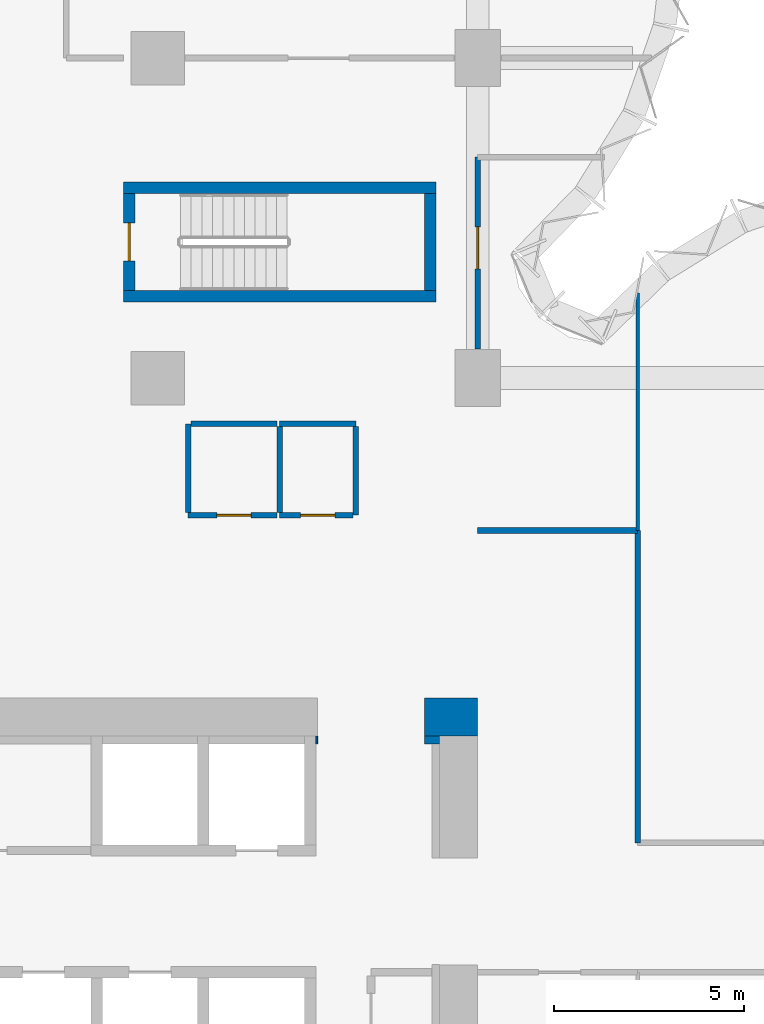
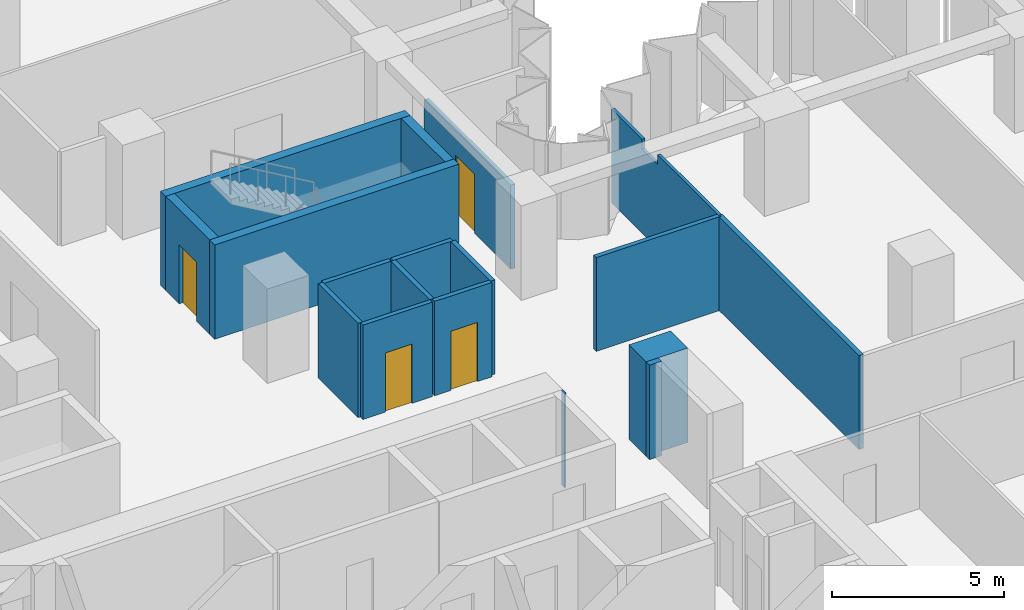
# One storey, part 9 of 15: 18 walls, 4 doors, 4 openings.
"""IFC4 building model written with IfcOpenShell, lengths in metres."""

import ifcopenshell
import ifcopenshell.guid

model = None  # the IFC model being written
_history = None  # IfcOwnerHistory: only IFC2X3 demands one
_inside = {}  # id of a spatial element -> (the spatial element, [elements in it])
_under = {}  # id of a project, library or spatial element -> (it, [spatial elements below it])
_declared = {}  # id of a project -> (the project, [libraries it declares])
_typed = {}  # id of a type object -> (the type object, [elements of that type])
_made_of = {}  # id of a material, layer set ... -> (it, [elements and type objects made of it])


def new_model(schema):
    """Start an empty IFC model of exactly this schema.

    Asked for "IFC4X3", IfcOpenShell would pick the latest addendum, in which some entities
    have other attributes; the version numbers below select the first issue.
    IFC2X3 requires an IfcOwnerHistory on every rooted entity: one is made here for all.
    """
    global model, _history
    if schema == "IFC4X3":
        model = ifcopenshell.file(schema_version=(4, 3, 0, 0))
    else:
        model = ifcopenshell.file(schema=schema)
    _inside.clear()
    _under.clear()
    _declared.clear()
    _typed.clear()
    _made_of.clear()
    _history = None
    if model.schema == "IFC2X3":
        org = make("IfcOrganization", Name="unknown")
        user = make(
            "IfcPersonAndOrganization",
            ThePerson=make("IfcPerson", FamilyName="unknown"),
            TheOrganization=org,
        )
        app = make(
            "IfcApplication",
            ApplicationDeveloper=org,
            Version="unknown",
            ApplicationFullName="unknown",
            ApplicationIdentifier="unknown",
        )
        _history = make(
            "IfcOwnerHistory",
            OwningUser=user,
            OwningApplication=app,
            ChangeAction="ADDED",
            CreationDate=0,
        )
    return model


def make(cls, **values):
    """One entity of the class cls with the attributes given. An attribute that is None is left unset."""
    return model.create_entity(
        cls, **{name: value for name, value in values.items() if value is not None}
    )


def rooted(cls, **values):
    """An entity with a GlobalId (a new one), such as an element, a storey or a relation."""
    return make(cls, GlobalId=ifcopenshell.guid.new(), OwnerHistory=_history, **values)


def si_unit(unit_type, name, prefix=None):
    """IfcSIUnit, for example si_unit("LENGTHUNIT", "METRE", prefix="MILLI")."""
    return make("IfcSIUnit", UnitType=unit_type, Prefix=prefix, Name=name)


def assignment(units):
    """IfcUnitAssignment: the units of a project."""
    return None if units is None else make("IfcUnitAssignment", Units=units)


def point(xyz):
    """IfcCartesianPoint."""
    return None if xyz is None else make("IfcCartesianPoint", Coordinates=xyz)


def direction(xyz):
    """IfcDirection."""
    return None if xyz is None else make("IfcDirection", DirectionRatios=xyz)


def frame(location, z_axis=None, x_axis=None):
    """IfcAxis2Placement3D, a coordinate frame: its origin and axes. An axis left out is left unset."""
    return make(
        "IfcAxis2Placement3D",
        Location=point(location),
        Axis=direction(z_axis),
        RefDirection=direction(x_axis),
    )


def frame_2d(location, x_axis=None):
    """IfcAxis2Placement2D, a coordinate frame in the plane: its origin and x axis."""
    return make(
        "IfcAxis2Placement2D", Location=point(location), RefDirection=direction(x_axis)
    )


def origin():
    """The frame at (0, 0, 0) with its axes left unset."""
    return frame((0.0, 0.0, 0.0))


def place(relative_to, where):
    """IfcLocalPlacement: puts the frame where relative to a parent placement (None: the world)."""
    return make(
        "IfcLocalPlacement", PlacementRelTo=relative_to, RelativePlacement=where
    )


def context(
    kind, dimensions, precision=None, world=None, true_north=None, identifier=None
):
    """IfcGeometricRepresentationContext, for example the 3D "Model" context."""
    return make(
        "IfcGeometricRepresentationContext",
        ContextIdentifier=identifier,
        ContextType=kind,
        CoordinateSpaceDimension=dimensions,
        Precision=precision,
        WorldCoordinateSystem=world,
        TrueNorth=true_north,
    )


def subcontext(parent, identifier, kind, view, scale=None):
    """IfcGeometricRepresentationSubContext, for example "Body" below "Model"."""
    return make(
        "IfcGeometricRepresentationSubContext",
        ContextIdentifier=identifier,
        ContextType=kind,
        ParentContext=parent,
        TargetScale=scale,
        TargetView=view,
    )


def project(units=None, contexts=None):
    """IfcProject with its units and contexts."""
    return rooted(
        "IfcProject",
        Name="project",
        RepresentationContexts=contexts,
        UnitsInContext=assignment(units),
    )


def spatial(cls, under=None, at=None, **own):
    """A site, building, storey or space (cls), placed at a placement, below another one or the project."""
    s = rooted(cls, ObjectPlacement=at, **own)
    if under is not None:
        _under.setdefault(under.id(), (under, []))[1].append(s)
    return s


def polyline(points):
    """IfcPolyline through the points."""
    return make("IfcPolyline", Points=[point(p) for p in points])


def profile(cls, at=None, kind="AREA", **sizes):
    """A parametric profile (cls). Its sizes go by their IFC names, for example OverallWidth=200.0."""
    return make(cls, ProfileType=kind, Position=at, **sizes)


def rectangle(**sizes):
    """IfcRectangleProfileDef."""
    return profile("IfcRectangleProfileDef", **sizes)


def outline(outer, holes=None, kind="AREA"):
    """IfcArbitraryClosedProfileDef: a profile drawn as a closed curve; with holes, ...WithVoids."""
    if holes is None:
        return make("IfcArbitraryClosedProfileDef", ProfileType=kind, OuterCurve=outer)
    return make(
        "IfcArbitraryProfileDefWithVoids",
        ProfileType=kind,
        OuterCurve=outer,
        InnerCurves=holes,
    )


def extrude(swept, where, along, depth):
    """IfcExtrudedAreaSolid: the profile swept, set in the frame where, extruded along a direction by depth."""
    return make(
        "IfcExtrudedAreaSolid",
        SweptArea=swept,
        Position=where,
        ExtrudedDirection=direction(along),
        Depth=depth,
    )


def shape(context_of_items, identifier, shape_type, items):
    """IfcShapeRepresentation: the items that make up one representation, for example the "Body"."""
    return make(
        "IfcShapeRepresentation",
        ContextOfItems=context_of_items,
        RepresentationIdentifier=identifier,
        RepresentationType=shape_type,
        Items=items,
    )


def material(Name=None, Category=None):
    """IfcMaterial."""
    return make("IfcMaterial", Name=Name, Category=Category)


def layer(
    of_material, thickness, ventilated=None, Name=None, Category=None, Priority=None
):
    """IfcMaterialLayer: one layer of a wall or slab, of a material (None: an air gap)."""
    return make(
        "IfcMaterialLayer",
        Material=of_material,
        LayerThickness=thickness,
        IsVentilated=ventilated,
        Name=Name,
        Category=Category,
        Priority=Priority,
    )


def layer_set(layers, Name=None):
    """IfcMaterialLayerSet."""
    return make("IfcMaterialLayerSet", MaterialLayers=layers, LayerSetName=Name)


def made_of(thing, what):
    """Note that an element or type object is made of a material, layer set ...; save() writes the relation."""
    if what is not None:
        _made_of.setdefault(what.id(), (what, []))[1].append(thing)
    return thing


def type_object(cls, material=None, **own):
    """A type object (cls), such as IfcWallType, which elements share."""
    return made_of(rooted(cls, **own), material)


def element(
    cls,
    number,
    at=None,
    inside=None,
    cuts=None,
    type_object=None,
    material=None,
    context=None,
    identifier="Body",
    shape_type=None,
    held_by="IfcProductDefinitionShape",
    body=None,
    shapes=None,
    **own,
):
    """One element of the class cls, such as IfcWall. Its Tag is "e" and its number.

    at: its placement. inside: the storey or other place that contains it. cuts: it is an
    opening in that element (IfcRelVoidsElement). A single representation is given by context,
    identifier, shape_type and body (its items); several are given by shapes. held_by: the class
    of the entity that holds the representations. save() writes the other relations.
    """
    e = rooted(cls, Tag="e%d" % number, ObjectPlacement=at, **own)
    if body is not None:
        shapes = [shape(context, identifier, shape_type, body)]
    if shapes is not None:
        e.Representation = make(held_by, Representations=shapes)
    if inside is not None:
        _inside.setdefault(inside.id(), (inside, []))[1].append(e)
    if cuts is not None:
        rooted(
            "IfcRelVoidsElement", RelatingBuildingElement=cuts, RelatedOpeningElement=e
        )
    if type_object is not None:
        _typed.setdefault(type_object.id(), (type_object, []))[1].append(e)
    return made_of(e, material)


def fill(opening, filler):
    """IfcRelFillsElement: the door or window that sits in an opening."""
    return rooted(
        "IfcRelFillsElement",
        RelatingOpeningElement=opening,
        RelatedBuildingElement=filler,
    )


def aggregate(whole, parts):
    """IfcRelAggregates: a whole, such as a stair, and the parts it consists of."""
    return rooted("IfcRelAggregates", RelatingObject=whole, RelatedObjects=parts)


def save(model, path):
    """Write the relations noted so far, then the file.

    IfcRelAggregates (storeys below a building ...), IfcRelContainedInSpatialStructure (elements
    in a storey), IfcRelDefinesByType, IfcRelAssociatesMaterial and IfcRelDeclares: one each for
    every whole, place, type object, material and project.
    """
    for whole, parts in _under.values():
        aggregate(whole, parts)
    for where, things in _inside.values():
        rooted(
            "IfcRelContainedInSpatialStructure",
            RelatedElements=things,
            RelatingStructure=where,
        )
    for kind, things in _typed.values():
        rooted("IfcRelDefinesByType", RelatedObjects=things, RelatingType=kind)
    for what, things in _made_of.values():
        rooted("IfcRelAssociatesMaterial", RelatedObjects=things, RelatingMaterial=what)
    for by, libraries in _declared.values():
        rooted("IfcRelDeclares", RelatingContext=by, RelatedDefinitions=libraries)
    model.write(path)


model = new_model("IFC4")

# Units and contexts
model_context = context("Model", 3, precision=1e-05, world=origin(), true_north=direction((0.0, 1.0)))
body_context = subcontext(model_context, "Body", "Model", "MODEL_VIEW")
ifc_project = project(units=[si_unit("LENGTHUNIT", "METRE"), si_unit("AREAUNIT", "SQUARE_METRE"), si_unit("VOLUMEUNIT", "CUBIC_METRE"), si_unit("PLANEANGLEUNIT", "RADIAN"), si_unit("MASSUNIT", "GRAM", prefix="KILO")], contexts=[model_context])

# Site, building, storey
site_placement = place(None, origin())
site = spatial("IfcSite", under=ifc_project, at=site_placement, CompositionType="ELEMENT")
building_placement = place(site_placement, origin())
building = spatial("IfcBuilding", under=site, at=building_placement, Name="Brevane Broadcast Tower", CompositionType="ELEMENT")
storey_placement = place(building_placement, frame((0.0, 0.0, 79.699951171875)))
storey = spatial("IfcBuildingStorey", under=building, at=storey_placement, Name="L18", CompositionType="ELEMENT", Elevation=79.699951171875)

# Walls
ifc_material_1 = material(Name="Concrete C32/40", Category="concrete")
ifc_layer_1 = layer(ifc_material_1, 0.199951171875)
ifc_layer_set_1 = layer_set([ifc_layer_1], Name="Core chase wall 200 mm")
wall_type_1 = type_object("IfcWallType", Name="Core chase wall 200 mm", PredefinedType="PARTITIONING", material=ifc_layer_set_1)
wall_1_placement = place(storey_placement, frame((23.800048828125, 15.699951171875, 0.0), z_axis=(0.0, 0.0, 1.0), x_axis=(1.0, 0.0, 0.0)))
element("IfcWall", 1, at=wall_1_placement, inside=storey, type_object=wall_type_1, Name="L18 chase wall LN2", PredefinedType="PARTITIONING", context=body_context, shape_type="SweptSolid", body=[
    extrude(rectangle(XDim=0.39990234375, YDim=0.199951171875, at=frame_2d((0.199951171875, 0.0))), origin(), (0.0, 0.0, 1.0), 3.35009765625),
])
wall_2_placement = place(storey_placement, frame((20.949951171875, 15.699951171875, 0.0), z_axis=(0.0, 0.0, 1.0), x_axis=(1.0, 0.0, 0.0)))
element("IfcWall", 2, at=wall_2_placement, inside=storey, type_object=wall_type_1, Name="L18 chase wall LN1-2-2-2-2", PredefinedType="PARTITIONING", context=body_context, shape_type="SweptSolid", body=[
    extrude(rectangle(XDim=0.050048828125, YDim=0.199951171875, at=frame_2d((0.02490234375, 0.0))), origin(), (0.0, 0.0, 1.0), 3.35009765625),
])
ifc_material_2 = material(Name="Gypsum board on steel studs", Category="steel")
ifc_layer_2 = layer(ifc_material_2, 0.14990234375)
ifc_layer_set_2 = layer_set([ifc_layer_2], Name="Core fire partition 150 mm")
wall_type_2 = type_object("IfcWallType", Name="Core fire partition 150 mm", PredefinedType="PARTITIONING", material=ifc_layer_set_2)
wall_3_placement = place(storey_placement, frame((20.0, 24.0, 0.0), z_axis=(0.0, 0.0, 1.0), x_axis=(1.0, 0.0, 0.0)))
element("IfcWall", 3, at=wall_3_placement, inside=storey, type_object=wall_type_2, Name="L18 partition wall P15", PredefinedType="PARTITIONING", context=body_context, shape_type="SweptSolid", body=[
    extrude(rectangle(XDim=2.0, YDim=0.14990234375, at=frame_2d((1.0, 0.0))), origin(), (0.0, 0.0, 1.0), 3.35009765625),
])
wall_4_placement = place(storey_placement, frame((22.0, 23.925048828125, 0.0), z_axis=(0.0, 0.0, 1.0), x_axis=(0.0, -1.0, 0.0)))
element("IfcWall", 4, at=wall_4_placement, inside=storey, type_object=wall_type_2, Name="L18 partition wall P16", PredefinedType="PARTITIONING", context=body_context, shape_type="SweptSolid", body=[
    extrude(rectangle(XDim=2.324951171875, YDim=0.14990234375, at=frame_2d((1.16259765625, 0.0))), origin(), (0.0, 0.0, 1.0), 3.35009765625),
])

# Wall, opening, door
wall_5_placement = place(storey_placement, frame((21.925048828125, 21.60009765625, 0.0), z_axis=(0.0, 0.0, 1.0), x_axis=(-1.0, 0.0, 0.0)))
wall_5 = element("IfcWall", 5, at=wall_5_placement, inside=storey, type_object=wall_type_2, Name="L18 partition wall P17", PredefinedType="PARTITIONING", context=body_context, shape_type="SweptSolid", body=[
    extrude(rectangle(XDim=1.925048828125, YDim=0.14990234375, at=frame_2d((0.96240234375, 0.0))), origin(), (0.0, 0.0, 1.0), 3.35009765625),
])
opening_1_placement = place(wall_5_placement, frame((0.47509765625, 0.0, 0.0)))
opening_1 = element("IfcOpeningElement", 6, at=opening_1_placement, cuts=wall_5, Name="Opening L18-K24", PredefinedType="OPENING", context=body_context, shape_type="SweptSolid", body=[
    extrude(rectangle(XDim=0.89990234375, YDim=2.10009765625, at=frame_2d((0.449951171875, 1.050048828125))), frame((0.0, 0.0849609375, 0.0), z_axis=(0.0, -1.0, 0.0), x_axis=(1.0, 0.0, 0.0)), (0.0, 0.0, 1.0), 0.169921875),
])
ifc_material_3 = material(Name="Timber", Category="wood")
door_type_1 = type_object("IfcDoorType", Name="Toilet door 900 x 2100", OperationType="SINGLE_SWING_LEFT", PredefinedType="DOOR", material=ifc_material_3)
door_1_placement = place(opening_1_placement, origin())
door_1 = element("IfcDoor", 7, at=door_1_placement, inside=storey, type_object=door_type_1, Name="Door L18-K24", OperationType="SINGLE_SWING_RIGHT", OverallHeight=2.10009765625, OverallWidth=0.89990234375, PredefinedType="DOOR", context=body_context, shape_type="SweptSolid", body=[
    extrude(rectangle(XDim=0.89990234375, YDim=2.10009765625, at=frame_2d((0.449951171875, 1.050048828125))), frame((0.0, 0.02490234375, 0.0), z_axis=(0.0, -1.0, 0.0), x_axis=(1.0, 0.0, 0.0)), (0.0, 0.0, 1.0), 0.050048828125),
])
fill(opening_1, door_1)

# Wall
wall_6_placement = place(storey_placement, frame((20.0, 21.675048828125, 0.0), z_axis=(0.0, 0.0, 1.0), x_axis=(0.0, 1.0, 0.0)))
element("IfcWall", 8, at=wall_6_placement, inside=storey, type_object=wall_type_2, Name="L18 partition wall P18", PredefinedType="PARTITIONING", context=body_context, shape_type="SweptSolid", body=[
    extrude(rectangle(XDim=2.25, YDim=0.14990234375, at=frame_2d((1.125, 0.0))), origin(), (0.0, 0.0, 1.0), 3.35009765625),
])

# Wall, opening, door
wall_7_placement = place(storey_placement, frame((19.925048828125, 21.60009765625, 0.0), z_axis=(0.0, 0.0, 1.0), x_axis=(-1.0, 0.0, 0.0)))
wall_7 = element("IfcWall", 9, at=wall_7_placement, inside=storey, type_object=wall_type_2, Name="L18 partition wall P19", PredefinedType="PARTITIONING", context=body_context, shape_type="SweptSolid", body=[
    extrude(rectangle(XDim=2.324951171875, YDim=0.14990234375, at=frame_2d((1.16259765625, 0.0))), origin(), (0.0, 0.0, 1.0), 3.35009765625),
])
opening_2_placement = place(wall_7_placement, frame((0.675048828125, 0.0, 0.0)))
opening_2 = element("IfcOpeningElement", 10, at=opening_2_placement, cuts=wall_7, Name="Opening L18-K25", PredefinedType="OPENING", context=body_context, shape_type="SweptSolid", body=[
    extrude(rectangle(XDim=0.89990234375, YDim=2.10009765625, at=frame_2d((0.449951171875, 1.050048828125))), frame((0.0, 0.0849609375, 0.0), z_axis=(0.0, -1.0, 0.0), x_axis=(1.0, 0.0, 0.0)), (0.0, 0.0, 1.0), 0.169921875),
])
ifc_material_4 = material(Name="Steel", Category="steel")
door_type_2 = type_object("IfcDoorType", Name="Service room door 900 x 2100", OperationType="SINGLE_SWING_LEFT", PredefinedType="DOOR", material=ifc_material_4)
door_2_placement = place(opening_2_placement, origin())
door_2 = element("IfcDoor", 11, at=door_2_placement, inside=storey, type_object=door_type_2, Name="Door L18-K25", OperationType="SINGLE_SWING_LEFT", OverallHeight=2.10009765625, OverallWidth=0.89990234375, PredefinedType="DOOR", context=body_context, shape_type="SweptSolid", body=[
    extrude(rectangle(XDim=0.89990234375, YDim=2.10009765625, at=frame_2d((0.449951171875, 1.050048828125))), frame((0.0, 0.02490234375, 0.0), z_axis=(0.0, -1.0, 0.0), x_axis=(1.0, 0.0, 0.0)), (0.0, 0.0, 1.0), 0.050048828125),
])
fill(opening_2, door_2)

# Walls
wall_8_placement = place(storey_placement, frame((17.60009765625, 21.675048828125, 0.0), z_axis=(0.0, 0.0, 1.0), x_axis=(0.0, 1.0, 0.0)))
element("IfcWall", 12, at=wall_8_placement, inside=storey, type_object=wall_type_2, Name="L18 partition wall P20", PredefinedType="PARTITIONING", context=body_context, shape_type="SweptSolid", body=[
    extrude(rectangle(XDim=2.324951171875, YDim=0.14990234375, at=frame_2d((1.16259765625, 0.0))), origin(), (0.0, 0.0, 1.0), 3.35009765625),
])
wall_9_placement = place(storey_placement, frame((17.675048828125, 24.0, 0.0), z_axis=(0.0, 0.0, 1.0), x_axis=(1.0, 0.0, 0.0)))
element("IfcWall", 13, at=wall_9_placement, inside=storey, type_object=wall_type_2, Name="L18 partition wall P21", PredefinedType="PARTITIONING", context=body_context, shape_type="SweptSolid", body=[
    extrude(rectangle(XDim=2.25, YDim=0.14990234375, at=frame_2d((1.125, 0.0))), origin(), (0.0, 0.0, 1.0), 3.35009765625),
])
ifc_material_5 = material(Name="Concrete C80/95", Category="concrete")
ifc_layer_3 = layer(ifc_material_5, 1.0)
ifc_layer_set_3 = layer_set([ifc_layer_3], Name="Core wall 1000 mm C80/95")
wall_type_3 = type_object("IfcWallType", Name="Core wall 1000 mm C80/95", PredefinedType="SHEAR", material=ifc_layer_set_3)
wall_10_placement = place(storey_placement, frame((23.800048828125, 16.300048828125, 0.0), z_axis=(0.0, 0.0, 1.0), x_axis=(1.0, 0.0, 0.0)))
element("IfcWall", 14, at=wall_10_placement, inside=storey, type_object=wall_type_3, Name="L18 outer wall WN2", PredefinedType="SHEAR", context=body_context, shape_type="SweptSolid", body=[
    extrude(rectangle(XDim=1.39990234375, YDim=1.0, at=frame_2d((0.699951171875, 0.0))), origin(), (0.0, 0.0, 1.0), 3.35009765625),
])
ifc_layer_4 = layer(ifc_material_5, 0.300048828125)
ifc_layer_set_4 = layer_set([ifc_layer_4], Name="Core wall 300 mm C80/95")
wall_type_4 = type_object("IfcWallType", Name="Core wall 300 mm C80/95", PredefinedType="SHEAR", material=ifc_layer_set_4)
for number, where, z_axis, x_axis, name in (
    (15, (15.89990234375, 27.35009765625, 0.0), (0.0, 0.0, 1.0), (1.0, 0.0, 0.0), "L18 stair wall ST-3-S"),
    (16, (15.89990234375, 30.199951171875, 0.0), (0.0, 0.0, 1.0), (1.0, 0.0, 0.0), "L18 stair wall ST-3-N"),
):
    element("IfcWall", number, at=place(storey_placement, frame(where, z_axis=z_axis, x_axis=x_axis)), inside=storey, type_object=wall_type_4, Name=name, PredefinedType="SHEAR", context=body_context, shape_type="SweptSolid", body=[
        extrude(rectangle(XDim=8.2001953125, YDim=0.300048828125, at=frame_2d((4.10009765625, 0.0))), origin(), (0.0, 0.0, 1.0), 3.35009765625),
    ])

# Wall, opening, door
wall_11_placement = place(storey_placement, frame((16.050048828125, 27.5, 0.0), z_axis=(0.0, 0.0, 1.0), x_axis=(0.0, 1.0, 0.0)))
wall_11 = element("IfcWall", 17, at=wall_11_placement, inside=storey, type_object=wall_type_4, Name="L18 stair wall ST-3-W", PredefinedType="SHEAR", context=body_context, shape_type="SweptSolid", body=[
    extrude(rectangle(XDim=2.550048828125, YDim=0.300048828125, at=frame_2d((1.27490234375, 0.0))), origin(), (0.0, 0.0, 1.0), 3.35009765625),
])
opening_3_placement = place(wall_11_placement, frame((0.77490234375, 0.0, 0.0)))
opening_3 = element("IfcOpeningElement", 18, at=opening_3_placement, cuts=wall_11, Name="Opening L18-K14", PredefinedType="OPENING", context=body_context, shape_type="SweptSolid", body=[
    extrude(rectangle(XDim=1.0, YDim=2.10009765625, at=frame_2d((0.5, 1.050048828125))), frame((0.0, 0.159912109375, 0.0), z_axis=(0.0, -1.0, 0.0), x_axis=(1.0, 0.0, 0.0)), (0.0, 0.0, 1.0), 0.320068359375),
])
door_type_3 = type_object("IfcDoorType", Name="Stair door 1000 x 2100", OperationType="SINGLE_SWING_LEFT", PredefinedType="DOOR", material=ifc_material_4)
door_3_placement = place(opening_3_placement, origin())
door_3 = element("IfcDoor", 19, at=door_3_placement, inside=storey, type_object=door_type_3, Name="Door L18-K14", OperationType="SINGLE_SWING_RIGHT", OverallHeight=2.10009765625, OverallWidth=1.0, PredefinedType="DOOR", context=body_context, shape_type="SweptSolid", body=[
    extrude(rectangle(XDim=1.0, YDim=2.10009765625, at=frame_2d((0.5, 1.050048828125))), frame((0.0, 0.02490234375, 0.0), z_axis=(0.0, -1.0, 0.0), x_axis=(1.0, 0.0, 0.0)), (0.0, 0.0, 1.0), 0.050048828125),
])
fill(opening_3, door_3)

# Walls
wall_12_placement = place(storey_placement, frame((23.949951171875, 27.5, 0.0), z_axis=(0.0, 0.0, 1.0), x_axis=(0.0, 1.0, 0.0)))
element("IfcWall", 20, at=wall_12_placement, inside=storey, type_object=wall_type_4, Name="L18 stair wall ST-3-E", PredefinedType="SHEAR", context=body_context, shape_type="SweptSolid", body=[
    extrude(rectangle(XDim=2.550048828125, YDim=0.300048828125, at=frame_2d((1.27490234375, 0.0))), origin(), (0.0, 0.0, 1.0), 3.35009765625),
])
ifc_material_6 = material(Name="Gypsum board partition")
ifc_layer_5 = layer(ifc_material_6, 0.10009765625)
ifc_layer_set_5 = layer_set([ifc_layer_5], Name="PARTITION 100 STUD")
wall_type_5 = type_object("IfcWallType", Name="PARTITION 100 STUD", PredefinedType="PARTITIONING", material=ifc_layer_set_5)
wall_13_placement = place(storey_placement, frame((29.39990234375, 27.428955078125, 0.0), z_axis=(0.0, 0.0, 1.0), x_axis=(0.0, -1.0, 0.0)))
element("IfcWall", 21, at=wall_13_placement, inside=storey, type_object=wall_type_5, Name="Partition G05-004", PredefinedType="PARTITIONING", context=body_context, shape_type="SweptSolid", body=[
    extrude(outline(polyline([(0.0, 0.0), (6.22900390625, 0.0), (6.22900390625, 3.330078125), (2.678955078125, 3.330078125), (2.677001953125, 2.97998046875), (1.781005859375, 2.97998046875), (1.779052734375, 3.330078125), (0.154052734375, 3.330078125), (0.0, 3.330078125), (0.0, 0.0)])), frame((0.0, 0.050048828125, 0.0), z_axis=(0.0, -1.0, 0.0), x_axis=(1.0, 0.0, 0.0)), (0.0, 0.0, 1.0), 0.10009765625),
])
ifc_layer_6 = layer(ifc_material_6, 0.14990234375)
ifc_layer_set_6 = layer_set([ifc_layer_6], Name="PARTITION 150 EI 60")
wall_type_6 = type_object("IfcWallType", Name="PARTITION 150 EI 60", PredefinedType="PARTITIONING", material=ifc_layer_set_6)
wall_14_placement = place(storey_placement, frame((25.199951171875, 21.199951171875, 0.0), z_axis=(0.0, 0.0, 1.0), x_axis=(1.0, 0.0, 0.0)))
element("IfcWall", 22, at=wall_14_placement, inside=storey, type_object=wall_type_6, Name="Partition G05-001", PredefinedType="PARTITIONING", context=body_context, shape_type="SweptSolid", body=[
    extrude(rectangle(XDim=4.199951171875, YDim=0.14990234375, at=frame_2d((2.10009765625, 0.0))), origin(), (0.0, 0.0, 1.0), 3.330078125),
])
wall_15_placement = place(storey_placement, frame((29.39990234375, 21.199951171875, 0.0), z_axis=(0.0, 0.0, 1.0), x_axis=(0.0, -1.0, 0.0)))
element("IfcWall", 23, at=wall_15_placement, inside=storey, type_object=wall_type_6, Name="Partition G05-003", PredefinedType="PARTITIONING", context=body_context, shape_type="SweptSolid", body=[
    extrude(rectangle(XDim=8.199951171875, YDim=0.14990234375, at=frame_2d((4.10009765625, 0.0))), origin(), (0.0, 0.0, 1.0), 3.330078125),
])

# Wall, opening, door
wall_16_placement = place(storey_placement, frame((25.199951171875, 31.0, 0.0), z_axis=(0.0, 0.0, 1.0), x_axis=(0.0, -1.0, 0.0)))
wall_16 = element("IfcWall", 24, at=wall_16_placement, inside=storey, type_object=wall_type_6, Name="Partition G05-005", PredefinedType="PARTITIONING", context=body_context, shape_type="SweptSolid", body=[
    extrude(outline(polyline([(0.0, 0.0), (5.030029296875, 0.0), (5.030029296875, 2.97998046875), (0.0, 2.97998046875), (0.0, 0.0)])), frame((0.0, 0.074951171875, 0.0), z_axis=(0.0, -1.0, 0.0), x_axis=(1.0, 0.0, 0.0)), (0.0, 0.0, 1.0), 0.14990234375),
])
opening_4_placement = place(wall_16_placement, frame((1.830078125, 0.0, 0.0)))
opening_4 = element("IfcOpeningElement", 25, at=opening_4_placement, cuts=wall_16, Name="Opening D11-001", PredefinedType="OPENING", context=body_context, shape_type="SweptSolid", body=[
    extrude(rectangle(XDim=1.10009765625, YDim=2.10009765625, at=frame_2d((0.550048828125, 1.050048828125))), frame((0.0, 0.0849609375, 0.0), z_axis=(0.0, -1.0, 0.0), x_axis=(1.0, 0.0, 0.0)), (0.0, 0.0, 1.0), 0.169921875),
])
ifc_material_7 = material(Name="Fire-rated timber door leaf", Category="wood")
door_type_4 = type_object("IfcDoorType", Name="DOOR SINGLE 1100 FD30S", OperationType="SINGLE_SWING_LEFT", PredefinedType="DOOR", material=ifc_material_7)
door_4_placement = place(opening_4_placement, origin())
door_4 = element("IfcDoor", 26, at=door_4_placement, inside=storey, type_object=door_type_4, Name="Door D11-001", OperationType="SINGLE_SWING_RIGHT", OverallHeight=2.10009765625, OverallWidth=1.10009765625, PredefinedType="DOOR", context=body_context, shape_type="SweptSolid", body=[
    extrude(rectangle(XDim=1.10009765625, YDim=2.10009765625, at=frame_2d((0.550048828125, 1.050048828125))), frame((0.0, 0.02490234375, 0.0), z_axis=(0.0, -1.0, 0.0), x_axis=(1.0, 0.0, 0.0)), (0.0, 0.0, 1.0), 0.050048828125),
])
fill(opening_4, door_4)

save(model, "model.ifc")
